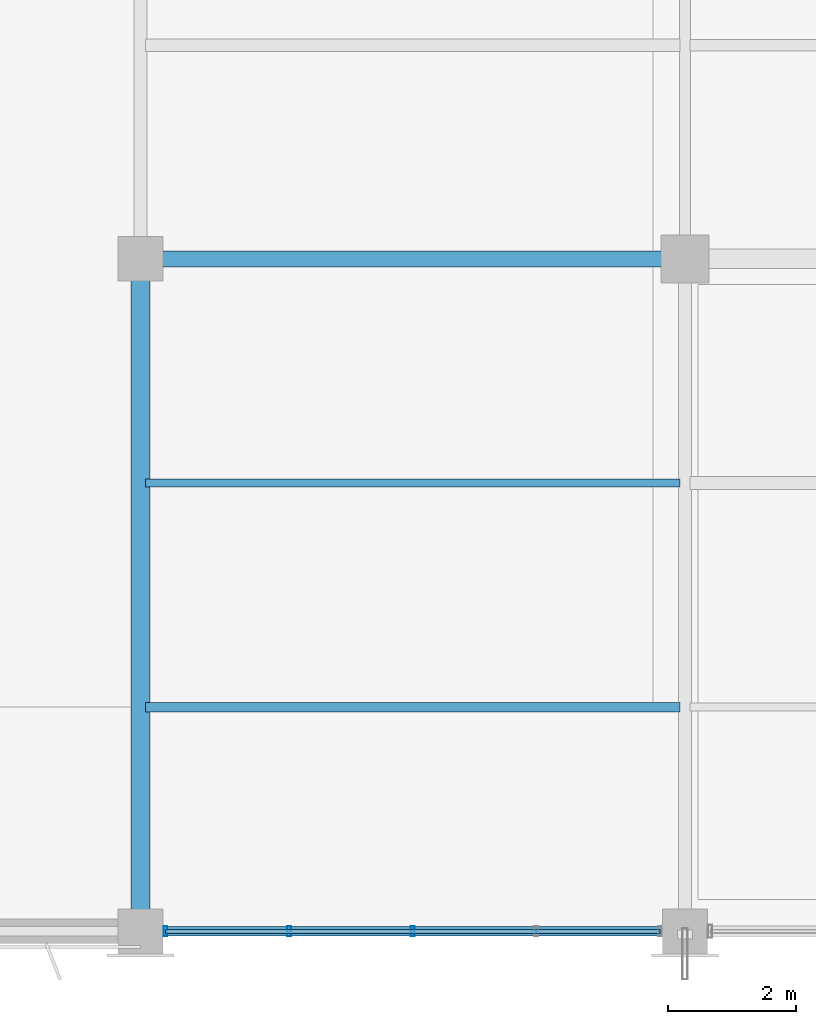
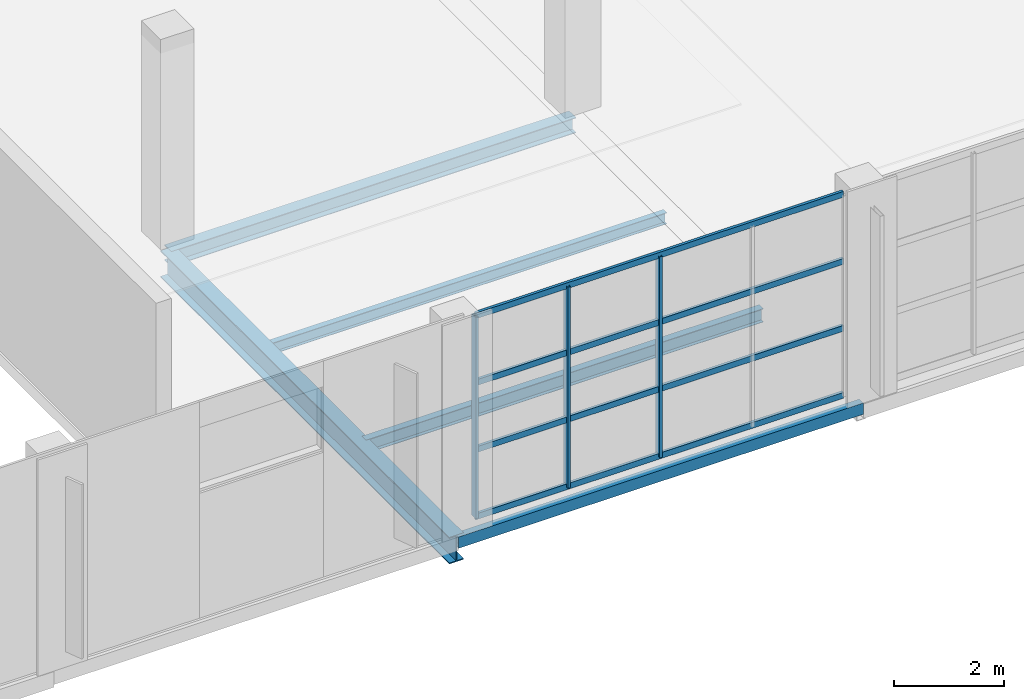
# One storey, part 8 of 101: 7 members, 5 beams, 1 element without a shape of its own.
"""IFC4 building model written with IfcOpenShell, lengths in metres."""

from ifc_helpers import new_model, si_unit, direction, frame, origin, origin_2d, place, context, subcontext, project, spatial, hollow_rectangle, i_section, extrude, material, material_profile, profile_set, type_object, element, aggregate, save


model = new_model("IFC4")

# Units and contexts
model_context = context("Model", 3, precision=1e-05, world=origin(), true_north=direction((0.0, 1.0)))
body_context = subcontext(model_context, "Body", "Model", "MODEL_VIEW")
ifc_project = project(units=[si_unit("LENGTHUNIT", "METRE"), si_unit("AREAUNIT", "SQUARE_METRE"), si_unit("VOLUMEUNIT", "CUBIC_METRE"), si_unit("PLANEANGLEUNIT", "RADIAN"), si_unit("MASSUNIT", "GRAM", prefix="KILO")], contexts=[model_context])

# Site, building, storey
site_placement = place(None, origin())
site = spatial("IfcSite", under=ifc_project, at=site_placement, CompositionType="ELEMENT")
building_placement = place(site_placement, origin())
building = spatial("IfcBuilding", under=site, at=building_placement, Name="Solvikara Media Centre", CompositionType="ELEMENT")
storey_placement = place(building_placement, frame((0.0, 0.0, 10.199951171875)))
storey = spatial("IfcBuildingStorey", under=building, at=storey_placement, Name="L02", CompositionType="ELEMENT", Elevation=10.199951171875)

# Beams
ifc_material_1 = material(Name="Steel S355JR", Category="steel")
ifc_material_profile_1 = material_profile(ifc_material_1, i_section(OverallWidth=0.14990234375, OverallDepth=0.300048828125, WebThickness=0.006591796875, FlangeThickness=0.009033203125, at=origin_2d()), Name="WF 300x150x6.5x9")
ifc_profile_set_1 = profile_set([ifc_material_profile_1], Name="Steel S355JR")
beam_type_1 = type_object("IfcBeamType", Name="BM-23", PredefinedType="JOIST", material=ifc_profile_set_1)
beam_1_placement = place(storey_placement, frame((25.577880859375, 3.5, -0.411865234375), z_axis=(1.0, 0.0, 0.0), x_axis=(0.0, 1.0, 0.0)))
element("IfcBeam", 1, at=beam_1_placement, inside=storey, type_object=beam_type_1, Name="J-L02-1075", PredefinedType="JOIST", context=body_context, shape_type="SweptSolid", body=[
    extrude(i_section(OverallWidth=0.14990234375, OverallDepth=0.300048828125, WebThickness=0.006591796875, FlangeThickness=0.009033203125, at=origin_2d()), origin(), (0.0, 0.0, 1.0), 8.34423828125),
])
ifc_material_profile_2 = material_profile(ifc_material_1, i_section(OverallWidth=0.125, OverallDepth=0.25, WebThickness=0.006103515625, FlangeThickness=0.009033203125, at=origin_2d()), Name="WF 250x125x6x9")
ifc_profile_set_2 = profile_set([ifc_material_profile_2], Name="Steel S355JR")
beam_type_2 = type_object("IfcBeamType", Name="BM-24", PredefinedType="JOIST", material=ifc_profile_set_2)
beam_2_placement = place(storey_placement, frame((25.577880859375, 7.0, -0.386962890625), z_axis=(1.0, 0.0, 0.0), x_axis=(0.0, 1.0, 0.0)))
element("IfcBeam", 2, at=beam_2_placement, inside=storey, type_object=beam_type_2, Name="J-L02-1076", PredefinedType="JOIST", context=body_context, shape_type="SweptSolid", body=[
    extrude(i_section(OverallWidth=0.125, OverallDepth=0.25, WebThickness=0.006103515625, FlangeThickness=0.009033203125, at=origin_2d()), origin(), (0.0, 0.0, 1.0), 8.34423828125),
])
ifc_material_profile_3 = material_profile(ifc_material_1, i_section(OverallWidth=0.25, OverallDepth=0.340087890625, WebThickness=0.009033203125, FlangeThickness=0.013916015625, at=origin_2d()), Name="H 340x250x9x14")
ifc_profile_set_3 = profile_set([ifc_material_profile_3], Name="Steel S355JR")
beam_type_3 = type_object("IfcBeamType", Name="BM-30", PredefinedType="BEAM", material=ifc_profile_set_3)
beam_3_placement = place(storey_placement, frame((25.5, 10.5, -0.431884765625), z_axis=(1.0, 0.0, 0.0), x_axis=(0.0, 1.0, 0.0)))
element("IfcBeam", 3, at=beam_3_placement, inside=storey, type_object=beam_type_3, Name="B-L02-X0836", PredefinedType="BEAM", context=body_context, shape_type="SweptSolid", body=[
    extrude(i_section(OverallWidth=0.25, OverallDepth=0.340087890625, WebThickness=0.009033203125, FlangeThickness=0.013916015625, at=origin_2d()), origin(), (0.0, 0.0, 1.0), 8.5),
])
ifc_material_profile_4 = material_profile(ifc_material_1, hollow_rectangle(XDim=0.14990234375, YDim=0.25, WallThickness=0.008056640625, at=origin_2d()), Name="RHS 250x150x8")
ifc_profile_set_4 = profile_set([ifc_material_profile_4], Name="Steel S355JR")
beam_type_4 = type_object("IfcBeamType", Name="BM-36", PredefinedType="JOIST", material=ifc_profile_set_4)
beam_4_placement = place(storey_placement, frame((25.5, 0.0, -0.386962890625), z_axis=(1.0, 0.0, 0.0), x_axis=(0.0, 1.0, 0.0)))
element("IfcBeam", 4, at=beam_4_placement, inside=storey, type_object=beam_type_4, Name="B-L02-X0822", PredefinedType="JOIST", context=body_context, shape_type="SweptSolid", body=[
    extrude(hollow_rectangle(XDim=0.14990234375, YDim=0.25, WallThickness=0.008056640625, at=origin_2d()), origin(), (0.0, 0.0, 1.0), 8.5),
])
ifc_material_profile_5 = material_profile(ifc_material_1, i_section(OverallWidth=0.302001953125, OverallDepth=0.593994140625, WebThickness=0.013916015625, FlangeThickness=0.02294921875, at=origin_2d()), Name="H 594x302x14x23")
ifc_profile_set_5 = profile_set([ifc_material_profile_5], Name="Steel S355JR")
beam_type_5 = type_object("IfcBeamType", Name="BM-41", PredefinedType="BEAM", material=ifc_profile_set_5)
beam_5_placement = place(storey_placement, frame((25.5, 0.0, -0.558837890625), z_axis=(0.0, 1.0, 0.0), x_axis=(-1.0, 0.0, 0.0)))
element("IfcBeam", 5, at=beam_5_placement, inside=storey, type_object=beam_type_5, Name="B-L02-Y0935", PredefinedType="BEAM", context=body_context, shape_type="SweptSolid", body=[
    extrude(i_section(OverallWidth=0.302001953125, OverallDepth=0.593994140625, WebThickness=0.013916015625, FlangeThickness=0.02294921875, at=origin_2d()), origin(), (0.0, 0.0, 1.0), 10.5),
])

# Curtain wall, members
ifc_material_2 = material(Name="Anodised aluminium EN AW-6063", Category="aluminium")
curtain_wall_type = type_object("IfcCurtainWallType", Name="CW-07", PredefinedType="NOTDEFINED", material=ifc_material_2)
curtain_wall_placement = place(storey_placement, origin())
curtain_wall = element("IfcCurtainWall", 6, at=curtain_wall_placement, inside=storey, type_object=curtain_wall_type, Name="CW-L02-V1SE", PredefinedType="NOTDEFINED")
ifc_material_profile_6 = material_profile(ifc_material_2, hollow_rectangle(XDim=0.06005859375, YDim=0.159912109375, WallThickness=0.00341796875, at=origin_2d()), Name="ALU-M 60x160x3.5")
ifc_profile_set_6 = profile_set([ifc_material_profile_6], Name="Anodised aluminium EN AW-6063")
member_type_1 = type_object("IfcMemberType", Name="MF-04", PredefinedType="MULLION", material=ifc_profile_set_6)
member_1_placement = place(storey_placement, frame((25.889892578125, 0.0, 0.02001953125), z_axis=(0.0, 0.0, 1.0), x_axis=(1.0, 0.0, 0.0)))
member_1 = element("IfcMember", 7, at=member_1_placement, type_object=member_type_1, Name="CW-L02-V1SE-M00", PredefinedType="MULLION", context=body_context, shape_type="SweptSolid", body=[
    extrude(hollow_rectangle(XDim=0.06005859375, YDim=0.159912109375, WallThickness=0.00341796875, at=origin_2d()), origin(), (0.0, 0.0, 1.0), 4.4599609375),
])
member_2_placement = place(storey_placement, frame((27.820068359375, 0.0, 0.02001953125), z_axis=(0.0, 0.0, 1.0), x_axis=(1.0, 0.0, 0.0)))
member_2 = element("IfcMember", 8, at=member_2_placement, type_object=member_type_1, Name="CW-L02-V1SE-M01", PredefinedType="MULLION", context=body_context, shape_type="SweptSolid", body=[
    extrude(hollow_rectangle(XDim=0.06005859375, YDim=0.159912109375, WallThickness=0.00341796875, at=origin_2d()), origin(), (0.0, 0.0, 1.0), 4.4599609375),
])
member_3_placement = place(storey_placement, frame((29.75, 0.0, 0.02001953125), z_axis=(0.0, 0.0, 1.0), x_axis=(1.0, 0.0, 0.0)))
member_3 = element("IfcMember", 9, at=member_3_placement, type_object=member_type_1, Name="CW-L02-V1SE-M02", PredefinedType="MULLION", context=body_context, shape_type="SweptSolid", body=[
    extrude(hollow_rectangle(XDim=0.06005859375, YDim=0.159912109375, WallThickness=0.00341796875, at=origin_2d()), origin(), (0.0, 0.0, 1.0), 4.4599609375),
])
ifc_material_profile_7 = material_profile(ifc_material_2, hollow_rectangle(XDim=0.06005859375, YDim=0.1298828125, WallThickness=0.0029296875, at=origin_2d()), Name="ALU-T 60x130x3")
ifc_profile_set_7 = profile_set([ifc_material_profile_7], Name="Anodised aluminium EN AW-6063")
member_type_2 = type_object("IfcMemberType", Name="MF-10", PredefinedType="USERDEFINED", material=ifc_profile_set_7)
member_4_placement = place(storey_placement, frame((25.889892578125, 0.0, 0.02001953125), z_axis=(1.0, 0.0, 0.0), x_axis=(0.0, 1.0, 0.0)))
member_4 = element("IfcMember", 10, at=member_4_placement, type_object=member_type_2, Name="CW-L02-V1SE-T00", ObjectType="TRANSOM", PredefinedType="USERDEFINED", context=body_context, shape_type="SweptSolid", body=[
    extrude(hollow_rectangle(XDim=0.06005859375, YDim=0.1298828125, WallThickness=0.0029296875, at=origin_2d()), origin(), (0.0, 0.0, 1.0), 7.72021484375),
])
member_5_placement = place(storey_placement, frame((25.889892578125, 0.0, 1.507080078125), z_axis=(1.0, 0.0, 0.0), x_axis=(0.0, 1.0, 0.0)))
member_5 = element("IfcMember", 11, at=member_5_placement, type_object=member_type_2, Name="CW-L02-V1SE-T01", ObjectType="TRANSOM", PredefinedType="USERDEFINED", context=body_context, shape_type="SweptSolid", body=[
    extrude(hollow_rectangle(XDim=0.06005859375, YDim=0.1298828125, WallThickness=0.0029296875, at=origin_2d()), origin(), (0.0, 0.0, 1.0), 7.72021484375),
])
member_6_placement = place(storey_placement, frame((25.889892578125, 0.0, 2.9931640625), z_axis=(1.0, 0.0, 0.0), x_axis=(0.0, 1.0, 0.0)))
member_6 = element("IfcMember", 12, at=member_6_placement, type_object=member_type_2, Name="CW-L02-V1SE-T02", ObjectType="TRANSOM", PredefinedType="USERDEFINED", context=body_context, shape_type="SweptSolid", body=[
    extrude(hollow_rectangle(XDim=0.06005859375, YDim=0.1298828125, WallThickness=0.0029296875, at=origin_2d()), origin(), (0.0, 0.0, 1.0), 7.72021484375),
])
member_7_placement = place(storey_placement, frame((25.889892578125, 0.0, 4.47998046875), z_axis=(1.0, 0.0, 0.0), x_axis=(0.0, 1.0, 0.0)))
member_7 = element("IfcMember", 13, at=member_7_placement, type_object=member_type_2, Name="CW-L02-V1SE-T03", ObjectType="TRANSOM", PredefinedType="USERDEFINED", context=body_context, shape_type="SweptSolid", body=[
    extrude(hollow_rectangle(XDim=0.06005859375, YDim=0.1298828125, WallThickness=0.0029296875, at=origin_2d()), origin(), (0.0, 0.0, 1.0), 7.72021484375),
])
aggregate(curtain_wall, [member_1, member_2, member_3, member_4, member_5, member_6, member_7])

save(model, "model.ifc")
